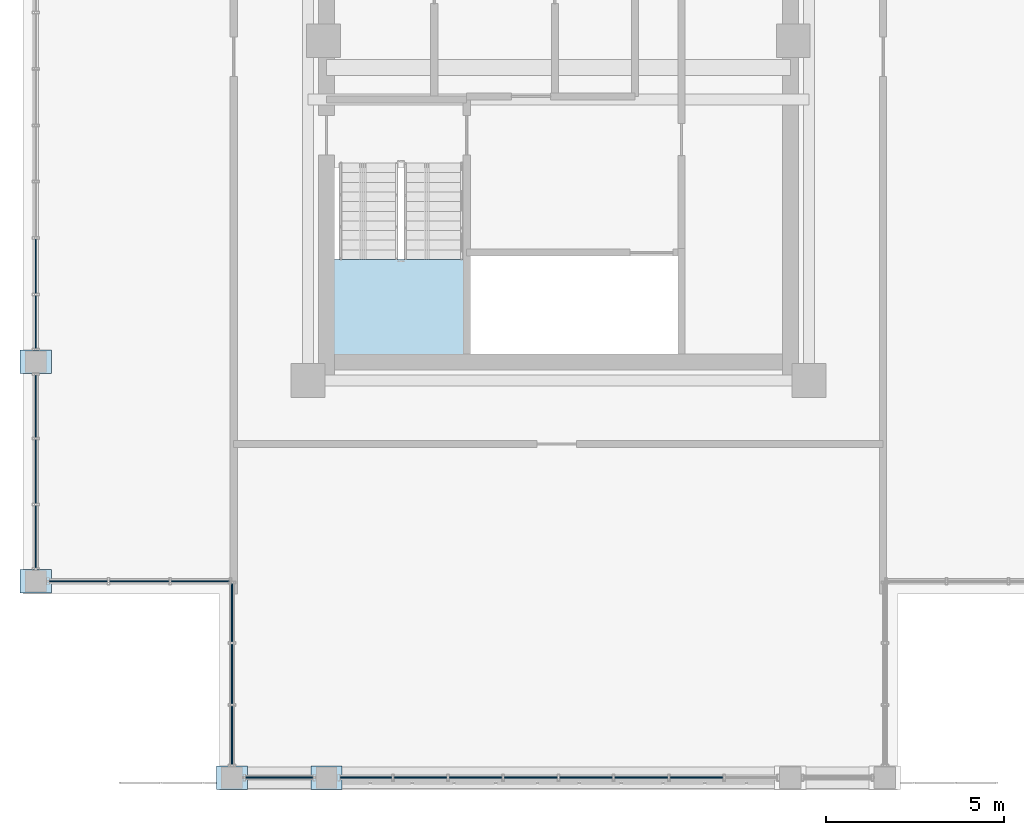
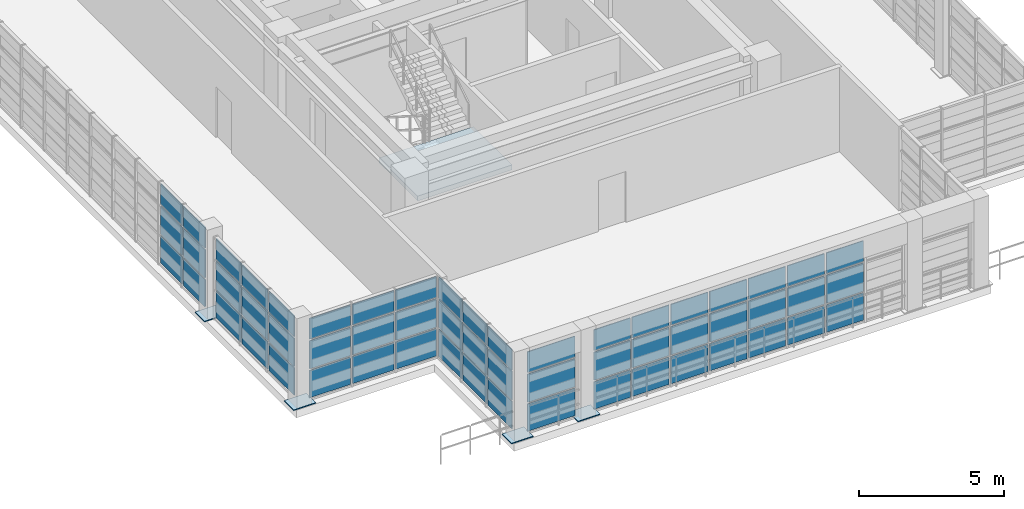
# One storey, part 16 of 24: 61 plates, 1 slab, 7 elements without a shape of their own.
"""IFC4 building model written with IfcOpenShell, lengths in metres."""

import ifcopenshell
import ifcopenshell.guid

model = None  # the IFC model being written
_history = None  # IfcOwnerHistory: only IFC2X3 demands one
_inside = {}  # id of a spatial element -> (the spatial element, [elements in it])
_under = {}  # id of a project, library or spatial element -> (it, [spatial elements below it])
_declared = {}  # id of a project -> (the project, [libraries it declares])
_typed = {}  # id of a type object -> (the type object, [elements of that type])
_made_of = {}  # id of a material, layer set ... -> (it, [elements and type objects made of it])


def new_model(schema):
    """Start an empty IFC model of exactly this schema.

    Asked for "IFC4X3", IfcOpenShell would pick the latest addendum, in which some entities
    have other attributes; the version numbers below select the first issue.
    IFC2X3 requires an IfcOwnerHistory on every rooted entity: one is made here for all.
    """
    global model, _history
    if schema == "IFC4X3":
        model = ifcopenshell.file(schema_version=(4, 3, 0, 0))
    else:
        model = ifcopenshell.file(schema=schema)
    _inside.clear()
    _under.clear()
    _declared.clear()
    _typed.clear()
    _made_of.clear()
    _history = None
    if model.schema == "IFC2X3":
        org = make("IfcOrganization", Name="unknown")
        user = make(
            "IfcPersonAndOrganization",
            ThePerson=make("IfcPerson", FamilyName="unknown"),
            TheOrganization=org,
        )
        app = make(
            "IfcApplication",
            ApplicationDeveloper=org,
            Version="unknown",
            ApplicationFullName="unknown",
            ApplicationIdentifier="unknown",
        )
        _history = make(
            "IfcOwnerHistory",
            OwningUser=user,
            OwningApplication=app,
            ChangeAction="ADDED",
            CreationDate=0,
        )
    return model


def make(cls, **values):
    """One entity of the class cls with the attributes given. An attribute that is None is left unset."""
    return model.create_entity(
        cls, **{name: value for name, value in values.items() if value is not None}
    )


def rooted(cls, **values):
    """An entity with a GlobalId (a new one), such as an element, a storey or a relation."""
    return make(cls, GlobalId=ifcopenshell.guid.new(), OwnerHistory=_history, **values)


def si_unit(unit_type, name, prefix=None):
    """IfcSIUnit, for example si_unit("LENGTHUNIT", "METRE", prefix="MILLI")."""
    return make("IfcSIUnit", UnitType=unit_type, Prefix=prefix, Name=name)


def assignment(units):
    """IfcUnitAssignment: the units of a project."""
    return None if units is None else make("IfcUnitAssignment", Units=units)


def point(xyz):
    """IfcCartesianPoint."""
    return None if xyz is None else make("IfcCartesianPoint", Coordinates=xyz)


def direction(xyz):
    """IfcDirection."""
    return None if xyz is None else make("IfcDirection", DirectionRatios=xyz)


def frame(location, z_axis=None, x_axis=None):
    """IfcAxis2Placement3D, a coordinate frame: its origin and axes. An axis left out is left unset."""
    return make(
        "IfcAxis2Placement3D",
        Location=point(location),
        Axis=direction(z_axis),
        RefDirection=direction(x_axis),
    )


def frame_2d(location, x_axis=None):
    """IfcAxis2Placement2D, a coordinate frame in the plane: its origin and x axis."""
    return make(
        "IfcAxis2Placement2D", Location=point(location), RefDirection=direction(x_axis)
    )


def origin():
    """The frame at (0, 0, 0) with its axes left unset."""
    return frame((0.0, 0.0, 0.0))


def origin_2d():
    """The frame at (0, 0) in the plane with its x axis left unset."""
    return frame_2d((0.0, 0.0))


def place(relative_to, where):
    """IfcLocalPlacement: puts the frame where relative to a parent placement (None: the world)."""
    return make(
        "IfcLocalPlacement", PlacementRelTo=relative_to, RelativePlacement=where
    )


def context(
    kind, dimensions, precision=None, world=None, true_north=None, identifier=None
):
    """IfcGeometricRepresentationContext, for example the 3D "Model" context."""
    return make(
        "IfcGeometricRepresentationContext",
        ContextIdentifier=identifier,
        ContextType=kind,
        CoordinateSpaceDimension=dimensions,
        Precision=precision,
        WorldCoordinateSystem=world,
        TrueNorth=true_north,
    )


def subcontext(parent, identifier, kind, view, scale=None):
    """IfcGeometricRepresentationSubContext, for example "Body" below "Model"."""
    return make(
        "IfcGeometricRepresentationSubContext",
        ContextIdentifier=identifier,
        ContextType=kind,
        ParentContext=parent,
        TargetScale=scale,
        TargetView=view,
    )


def project(units=None, contexts=None):
    """IfcProject with its units and contexts."""
    return rooted(
        "IfcProject",
        Name="project",
        RepresentationContexts=contexts,
        UnitsInContext=assignment(units),
    )


def spatial(cls, under=None, at=None, **own):
    """A site, building, storey or space (cls), placed at a placement, below another one or the project."""
    s = rooted(cls, ObjectPlacement=at, **own)
    if under is not None:
        _under.setdefault(under.id(), (under, []))[1].append(s)
    return s


def polyline(points):
    """IfcPolyline through the points."""
    return make("IfcPolyline", Points=[point(p) for p in points])


def profile(cls, at=None, kind="AREA", **sizes):
    """A parametric profile (cls). Its sizes go by their IFC names, for example OverallWidth=200.0."""
    return make(cls, ProfileType=kind, Position=at, **sizes)


def rectangle(**sizes):
    """IfcRectangleProfileDef."""
    return profile("IfcRectangleProfileDef", **sizes)


def outline(outer, holes=None, kind="AREA"):
    """IfcArbitraryClosedProfileDef: a profile drawn as a closed curve; with holes, ...WithVoids."""
    if holes is None:
        return make("IfcArbitraryClosedProfileDef", ProfileType=kind, OuterCurve=outer)
    return make(
        "IfcArbitraryProfileDefWithVoids",
        ProfileType=kind,
        OuterCurve=outer,
        InnerCurves=holes,
    )


def extrude(swept, where, along, depth):
    """IfcExtrudedAreaSolid: the profile swept, set in the frame where, extruded along a direction by depth."""
    return make(
        "IfcExtrudedAreaSolid",
        SweptArea=swept,
        Position=where,
        ExtrudedDirection=direction(along),
        Depth=depth,
    )


def shape(context_of_items, identifier, shape_type, items):
    """IfcShapeRepresentation: the items that make up one representation, for example the "Body"."""
    return make(
        "IfcShapeRepresentation",
        ContextOfItems=context_of_items,
        RepresentationIdentifier=identifier,
        RepresentationType=shape_type,
        Items=items,
    )


def source(mapping_origin, context_of_items, identifier, shape_type, items):
    """IfcRepresentationMap: a shape defined once, which mapped items show again and again."""
    return make(
        "IfcRepresentationMap",
        MappingOrigin=mapping_origin,
        MappedRepresentation=shape(context_of_items, identifier, shape_type, items),
    )


def transform(
    local_origin,
    x_axis=None,
    y_axis=None,
    z_axis=None,
    scale=None,
    scale2=None,
    scale3=None,
    uniform=True,
):
    """IfcCartesianTransformationOperator3D, or its non-uniform kind. x_axis, y_axis, z_axis: its Axis1, 2, 3."""
    if uniform:
        return make(
            "IfcCartesianTransformationOperator3D",
            Axis1=direction(x_axis),
            Axis2=direction(y_axis),
            LocalOrigin=point(local_origin),
            Scale=scale,
            Axis3=direction(z_axis),
        )
    return make(
        "IfcCartesianTransformationOperator3DnonUniform",
        Axis1=direction(x_axis),
        Axis2=direction(y_axis),
        LocalOrigin=point(local_origin),
        Scale=scale,
        Axis3=direction(z_axis),
        Scale2=scale2,
        Scale3=scale3,
    )


def mapped(mapping_source, mapping_target):
    """IfcMappedItem: shows the shape of a source again, moved by a transform."""
    return make(
        "IfcMappedItem", MappingSource=mapping_source, MappingTarget=mapping_target
    )


def material(Name=None, Category=None):
    """IfcMaterial."""
    return make("IfcMaterial", Name=Name, Category=Category)


def layer(
    of_material, thickness, ventilated=None, Name=None, Category=None, Priority=None
):
    """IfcMaterialLayer: one layer of a wall or slab, of a material (None: an air gap)."""
    return make(
        "IfcMaterialLayer",
        Material=of_material,
        LayerThickness=thickness,
        IsVentilated=ventilated,
        Name=Name,
        Category=Category,
        Priority=Priority,
    )


def layer_set(layers, Name=None):
    """IfcMaterialLayerSet."""
    return make("IfcMaterialLayerSet", MaterialLayers=layers, LayerSetName=Name)


def made_of(thing, what):
    """Note that an element or type object is made of a material, layer set ...; save() writes the relation."""
    if what is not None:
        _made_of.setdefault(what.id(), (what, []))[1].append(thing)
    return thing


def type_object(cls, material=None, **own):
    """A type object (cls), such as IfcWallType, which elements share."""
    return made_of(rooted(cls, **own), material)


def element(
    cls,
    number,
    at=None,
    inside=None,
    cuts=None,
    type_object=None,
    material=None,
    context=None,
    identifier="Body",
    shape_type=None,
    held_by="IfcProductDefinitionShape",
    body=None,
    shapes=None,
    **own,
):
    """One element of the class cls, such as IfcWall. Its Tag is "e" and its number.

    at: its placement. inside: the storey or other place that contains it. cuts: it is an
    opening in that element (IfcRelVoidsElement). A single representation is given by context,
    identifier, shape_type and body (its items); several are given by shapes. held_by: the class
    of the entity that holds the representations. save() writes the other relations.
    """
    e = rooted(cls, Tag="e%d" % number, ObjectPlacement=at, **own)
    if body is not None:
        shapes = [shape(context, identifier, shape_type, body)]
    if shapes is not None:
        e.Representation = make(held_by, Representations=shapes)
    if inside is not None:
        _inside.setdefault(inside.id(), (inside, []))[1].append(e)
    if cuts is not None:
        rooted(
            "IfcRelVoidsElement", RelatingBuildingElement=cuts, RelatedOpeningElement=e
        )
    if type_object is not None:
        _typed.setdefault(type_object.id(), (type_object, []))[1].append(e)
    return made_of(e, material)


def aggregate(whole, parts):
    """IfcRelAggregates: a whole, such as a stair, and the parts it consists of."""
    return rooted("IfcRelAggregates", RelatingObject=whole, RelatedObjects=parts)


def save(model, path):
    """Write the relations noted so far, then the file.

    IfcRelAggregates (storeys below a building ...), IfcRelContainedInSpatialStructure (elements
    in a storey), IfcRelDefinesByType, IfcRelAssociatesMaterial and IfcRelDeclares: one each for
    every whole, place, type object, material and project.
    """
    for whole, parts in _under.values():
        aggregate(whole, parts)
    for where, things in _inside.values():
        rooted(
            "IfcRelContainedInSpatialStructure",
            RelatedElements=things,
            RelatingStructure=where,
        )
    for kind, things in _typed.values():
        rooted("IfcRelDefinesByType", RelatedObjects=things, RelatingType=kind)
    for what, things in _made_of.values():
        rooted("IfcRelAssociatesMaterial", RelatedObjects=things, RelatingMaterial=what)
    for by, libraries in _declared.values():
        rooted("IfcRelDeclares", RelatingContext=by, RelatedDefinitions=libraries)
    model.write(path)


model = new_model("IFC4")

# Units and contexts
model_context = context("Model", 3, precision=1e-05, world=origin(), true_north=direction((0.0, 1.0)))
body_context = subcontext(model_context, "Body", "Model", "MODEL_VIEW")
ifc_project = project(units=[si_unit("LENGTHUNIT", "METRE"), si_unit("AREAUNIT", "SQUARE_METRE"), si_unit("VOLUMEUNIT", "CUBIC_METRE"), si_unit("PLANEANGLEUNIT", "RADIAN"), si_unit("MASSUNIT", "GRAM", prefix="KILO")], contexts=[model_context])

# Site, building, storey
site_placement = place(None, origin())
site = spatial("IfcSite", under=ifc_project, at=site_placement, CompositionType="ELEMENT")
building_placement = place(site_placement, origin())
building = spatial("IfcBuilding", under=site, at=building_placement, Name="Saelheon Loggia Tower", CompositionType="ELEMENT")
storey_placement = place(building_placement, frame((0.0, 0.0, 252.199951171875)))
storey = spatial("IfcBuildingStorey", under=building, at=storey_placement, Name="CR1", CompositionType="ELEMENT", Elevation=252.199951171875)

# Stair, slab
ifc_material_1 = material(Name="Concrete C40/50", Category="concrete")
stair_type = type_object("IfcStairType", Name="Stair_Plant_Crown", PredefinedType="HALF_TURN_STAIR", material=ifc_material_1)
stair_placement = place(storey_placement, origin())
stair = element("IfcStair", 1, at=stair_placement, inside=storey, type_object=stair_type, Name="CR1 Crown Plant Stair ST5", PredefinedType="HALF_TURN_STAIR")
ifc_layer_1 = layer(ifc_material_1, 0.199951171875)
ifc_layer_set_1 = layer_set([ifc_layer_1], Name="Concrete C40/50")
slab_type = type_object("IfcSlabType", Name="Slab_StairLanding_ST5", PredefinedType="LANDING", material=ifc_layer_set_1)
slab_placement = place(storey_placement, frame((0.0, 0.0, 1.699951171875)))
slab = element("IfcSlab", 2, at=slab_placement, type_object=slab_type, Name="ST5 landing 1", PredefinedType="LANDING", context=body_context, shape_type="SweptSolid", body=[
    extrude(outline(polyline([(31.7099609375, 20.8701171875), (31.7099609375, 18.2099609375), (35.469970703125, 18.2099609375), (35.469970703125, 20.8701171875), (31.7099609375, 20.8701171875)])), origin(), (0.0, 0.0, 1.0), 0.2001953125),
])
aggregate(stair, [slab])

# Plates
ifc_material_2 = material(Name="Steel SM355", Category="steel")
ifc_layer_2 = layer(ifc_material_2, 0.035888671875)
ifc_layer_set_2 = layer_set([ifc_layer_2], Name="Steel SM355")
plate_type_1 = type_object("IfcPlateType", Name="CrownFrame_BasePlate_BP1", PredefinedType="USERDEFINED", material=ifc_layer_set_2)
shared_shape_1 = source(origin(), body_context, "Body", "SweptSolid", [
    extrude(rectangle(XDim=0.8798828125, YDim=0.659912109375, at=origin_2d()), origin(), (0.0, 0.0, 1.0), 0.035888671875),
])
for number, where, z_axis, x_axis, name in (
    (3, (28.85009765625, 6.35009765625, 0.0), (0.0, 0.0, 1.0), (1.0, 0.0, 0.0), "CROWN FRAME Column Base Plate TP-S1"),
    (4, (31.5, 6.35009765625, 0.0), (0.0, 0.0, 1.0), (1.0, 0.0, 0.0), "CROWN FRAME Column Base Plate TP-SA"),
    (5, (23.35009765625, 18.0, 0.0), (0.0, 0.0, 1.0), (1.0, 0.0, 0.0), "CROWN FRAME Column Base Plate TP-WA"),
    (6, (23.35009765625, 11.85009765625, 0.0), (0.0, 0.0, 1.0), (1.0, 0.0, 0.0), "CROWN FRAME Column Base Plate TP-W1"),
):
    element("IfcPlate", number, at=place(storey_placement, frame(where, z_axis=z_axis, x_axis=x_axis)), inside=storey, type_object=plate_type_1, Name=name, ObjectType="BASE_PLATE", PredefinedType="USERDEFINED", context=body_context, shape_type="MappedRepresentation", body=[
        mapped(shared_shape_1, transform((0.0, 0.0, 0.0), scale=1.0)),
    ])

# Curtain wall, plates
ifc_material_3 = material(Name="Bronze-Anodised Aluminium and Fritted Ceramic Screen", Category="aluminium")
ifc_layer_3 = layer(ifc_material_3, 0.219970703125)
ifc_layer_set_3 = layer_set([ifc_layer_3], Name="Bronze-Anodised Aluminium and Fritted Ceramic Screen")
curtain_wall_type = type_object("IfcCurtainWallType", Name="CW_CrownScreen", PredefinedType="NOTDEFINED", material=ifc_layer_set_3)
curtain_wall_1_placement = place(storey_placement, origin())
curtain_wall_1 = element("IfcCurtainWall", 7, at=curtain_wall_1_placement, inside=storey, type_object=curtain_wall_type, Name="CR1 Crown Screen Curtain Wall 0-1", PredefinedType="NOTDEFINED")
ifc_material_4 = material(Name="Bronze Ceramic Fritted Spandrel Panel", Category="aluminium")
ifc_layer_4 = layer(ifc_material_4, 0.0380859375)
ifc_layer_set_4 = layer_set([ifc_layer_4], Name="Bronze Ceramic Fritted Spandrel Panel")
plate_type_2 = type_object("IfcPlateType", Name="CW_CrownScreen_Panel", PredefinedType="CURTAIN_PANEL", material=ifc_layer_set_4)
shared_shape_2 = source(origin(), body_context, "Body", "SweptSolid", [
    extrude(rectangle(XDim=1.889892578125, YDim=0.0380859375, at=origin_2d()), origin(), (0.0, 0.0, 1.0), 1.14501953125),
])
plate_1_placement = place(storey_placement, frame((30.175048828125, 6.35009765625, 0.070068359375), z_axis=(0.0, 0.0, 1.0), x_axis=(1.0, 0.0, 0.0)))
plate_1 = element("IfcPlate", 8, at=plate_1_placement, type_object=plate_type_2, Name="CW6 panel 1.1", PredefinedType="CURTAIN_PANEL", context=body_context, shape_type="MappedRepresentation", body=[
    mapped(shared_shape_2, transform((0.0, 0.0, 0.0), scale=1.0)),
])
shared_shape_3 = source(origin(), body_context, "Body", "SweptSolid", [
    extrude(rectangle(XDim=1.889892578125, YDim=0.0380859375, at=origin_2d()), origin(), (0.0, 0.0, 1.0), 1.179931640625),
])
plate_2_placement = place(storey_placement, frame((30.175048828125, 6.35009765625, 1.28515625), z_axis=(0.0, 0.0, 1.0), x_axis=(1.0, 0.0, 0.0)))
plate_2 = element("IfcPlate", 9, at=plate_2_placement, type_object=plate_type_2, Name="CW6 panel 1.2", PredefinedType="CURTAIN_PANEL", context=body_context, shape_type="MappedRepresentation", body=[
    mapped(shared_shape_3, transform((0.0, 0.0, 0.0), scale=1.0)),
])
shared_shape_4 = source(origin(), body_context, "Body", "SweptSolid", [
    extrude(rectangle(XDim=1.889892578125, YDim=0.0380859375, at=origin_2d()), origin(), (0.0, 0.0, 1.0), 0.875),
])
plate_3_placement = place(storey_placement, frame((30.175048828125, 6.35009765625, 2.53515625), z_axis=(0.0, 0.0, 1.0), x_axis=(1.0, 0.0, 0.0)))
plate_3 = element("IfcPlate", 10, at=plate_3_placement, type_object=plate_type_2, Name="CW6 panel 1.3", PredefinedType="CURTAIN_PANEL", context=body_context, shape_type="MappedRepresentation", body=[
    mapped(shared_shape_4, transform((0.0, 0.0, 0.0), scale=1.0)),
])
aggregate(curtain_wall_1, [plate_1, plate_2, plate_3])

curtain_wall_2_placement = place(storey_placement, origin())
curtain_wall_2 = element("IfcCurtainWall", 11, at=curtain_wall_2_placement, inside=storey, type_object=curtain_wall_type, Name="CR1 Crown Screen Curtain Wall 0-2", PredefinedType="NOTDEFINED")
shared_shape_5 = source(origin(), body_context, "Body", "SweptSolid", [
    extrude(rectangle(XDim=1.4423828125, YDim=0.0380859375, at=origin_2d()), origin(), (0.0, 0.0, 1.0), 1.14501953125),
])
plate_4_placement = place(storey_placement, frame((32.601318359375, 6.35009765625, 0.070068359375), z_axis=(0.0, 0.0, 1.0), x_axis=(1.0, 0.0, 0.0)))
plate_4 = element("IfcPlate", 12, at=plate_4_placement, type_object=plate_type_2, Name="CW6 panel 1.1", PredefinedType="CURTAIN_PANEL", context=body_context, shape_type="MappedRepresentation", body=[
    mapped(shared_shape_5, transform((0.0, 0.0, 0.0), scale=1.0)),
])
shared_shape_6 = source(origin(), body_context, "Body", "SweptSolid", [
    extrude(rectangle(XDim=1.4423828125, YDim=0.0380859375, at=origin_2d()), origin(), (0.0, 0.0, 1.0), 1.179931640625),
])
plate_5_placement = place(storey_placement, frame((32.601318359375, 6.35009765625, 1.28515625), z_axis=(0.0, 0.0, 1.0), x_axis=(1.0, 0.0, 0.0)))
plate_5 = element("IfcPlate", 13, at=plate_5_placement, type_object=plate_type_2, Name="CW6 panel 1.2", PredefinedType="CURTAIN_PANEL", context=body_context, shape_type="MappedRepresentation", body=[
    mapped(shared_shape_6, transform((0.0, 0.0, 0.0), scale=1.0)),
])
shared_shape_7 = source(origin(), body_context, "Body", "SweptSolid", [
    extrude(rectangle(XDim=1.4423828125, YDim=0.0380859375, at=origin_2d()), origin(), (0.0, 0.0, 1.0), 0.875),
])
plate_6_placement = place(storey_placement, frame((32.601318359375, 6.35009765625, 2.53515625), z_axis=(0.0, 0.0, 1.0), x_axis=(1.0, 0.0, 0.0)))
plate_6 = element("IfcPlate", 14, at=plate_6_placement, type_object=plate_type_2, Name="CW6 panel 1.3", PredefinedType="CURTAIN_PANEL", context=body_context, shape_type="MappedRepresentation", body=[
    mapped(shared_shape_7, transform((0.0, 0.0, 0.0), scale=1.0)),
])
shared_shape_8 = source(origin(), body_context, "Body", "SweptSolid", [
    extrude(rectangle(XDim=1.4775390625, YDim=0.0380859375, at=origin_2d()), origin(), (0.0, 0.0, 1.0), 1.14501953125),
])
plate_7_placement = place(storey_placement, frame((34.13134765625, 6.35009765625, 0.070068359375), z_axis=(0.0, 0.0, 1.0), x_axis=(1.0, 0.0, 0.0)))
plate_7 = element("IfcPlate", 15, at=plate_7_placement, type_object=plate_type_2, Name="CW6 panel 2.1", PredefinedType="CURTAIN_PANEL", context=body_context, shape_type="MappedRepresentation", body=[
    mapped(shared_shape_8, transform((0.0, 0.0, 0.0), scale=1.0)),
])
plate_8_placement = place(storey_placement, frame((35.6787109375, 6.35009765625, 0.070068359375), z_axis=(0.0, 0.0, 1.0), x_axis=(1.0, 0.0, 0.0)))
plate_8 = element("IfcPlate", 16, at=plate_8_placement, type_object=plate_type_2, Name="CW6 panel 3.1", PredefinedType="CURTAIN_PANEL", context=body_context, shape_type="MappedRepresentation", body=[
    mapped(shared_shape_8, transform((0.0, 0.0, 0.0), scale=1.0)),
])
plate_9_placement = place(storey_placement, frame((37.226318359375, 6.35009765625, 0.070068359375), z_axis=(0.0, 0.0, 1.0), x_axis=(1.0, 0.0, 0.0)))
plate_9 = element("IfcPlate", 17, at=plate_9_placement, type_object=plate_type_2, Name="CW6 panel 4.1", PredefinedType="CURTAIN_PANEL", context=body_context, shape_type="MappedRepresentation", body=[
    mapped(shared_shape_8, transform((0.0, 0.0, 0.0), scale=1.0)),
])
plate_10_placement = place(storey_placement, frame((38.773681640625, 6.35009765625, 0.070068359375), z_axis=(0.0, 0.0, 1.0), x_axis=(1.0, 0.0, 0.0)))
plate_10 = element("IfcPlate", 18, at=plate_10_placement, type_object=plate_type_2, Name="CW6 panel 5.1", PredefinedType="CURTAIN_PANEL", context=body_context, shape_type="MappedRepresentation", body=[
    mapped(shared_shape_8, transform((0.0, 0.0, 0.0), scale=1.0)),
])
plate_11_placement = place(storey_placement, frame((40.3212890625, 6.35009765625, 0.070068359375), z_axis=(0.0, 0.0, 1.0), x_axis=(1.0, 0.0, 0.0)))
plate_11 = element("IfcPlate", 19, at=plate_11_placement, type_object=plate_type_2, Name="CW6 panel 6.1", PredefinedType="CURTAIN_PANEL", context=body_context, shape_type="MappedRepresentation", body=[
    mapped(shared_shape_8, transform((0.0, 0.0, 0.0), scale=1.0)),
])
plate_12_placement = place(storey_placement, frame((41.86865234375, 6.35009765625, 0.070068359375), z_axis=(0.0, 0.0, 1.0), x_axis=(1.0, 0.0, 0.0)))
plate_12 = element("IfcPlate", 20, at=plate_12_placement, type_object=plate_type_2, Name="CW6 panel 7.1", PredefinedType="CURTAIN_PANEL", context=body_context, shape_type="MappedRepresentation", body=[
    mapped(shared_shape_8, transform((0.0, 0.0, 0.0), scale=1.0)),
])
shared_shape_9 = source(origin(), body_context, "Body", "SweptSolid", [
    extrude(rectangle(XDim=1.4775390625, YDim=0.0380859375, at=origin_2d()), origin(), (0.0, 0.0, 1.0), 1.179931640625),
])
plate_13_placement = place(storey_placement, frame((34.13134765625, 6.35009765625, 1.28515625), z_axis=(0.0, 0.0, 1.0), x_axis=(1.0, 0.0, 0.0)))
plate_13 = element("IfcPlate", 21, at=plate_13_placement, type_object=plate_type_2, Name="CW6 panel 2.2", PredefinedType="CURTAIN_PANEL", context=body_context, shape_type="MappedRepresentation", body=[
    mapped(shared_shape_9, transform((0.0, 0.0, 0.0), scale=1.0)),
])
plate_14_placement = place(storey_placement, frame((35.6787109375, 6.35009765625, 1.28515625), z_axis=(0.0, 0.0, 1.0), x_axis=(1.0, 0.0, 0.0)))
plate_14 = element("IfcPlate", 22, at=plate_14_placement, type_object=plate_type_2, Name="CW6 panel 3.2", PredefinedType="CURTAIN_PANEL", context=body_context, shape_type="MappedRepresentation", body=[
    mapped(shared_shape_9, transform((0.0, 0.0, 0.0), scale=1.0)),
])
plate_15_placement = place(storey_placement, frame((37.226318359375, 6.35009765625, 1.28515625), z_axis=(0.0, 0.0, 1.0), x_axis=(1.0, 0.0, 0.0)))
plate_15 = element("IfcPlate", 23, at=plate_15_placement, type_object=plate_type_2, Name="CW6 panel 4.2", PredefinedType="CURTAIN_PANEL", context=body_context, shape_type="MappedRepresentation", body=[
    mapped(shared_shape_9, transform((0.0, 0.0, 0.0), scale=1.0)),
])
plate_16_placement = place(storey_placement, frame((38.773681640625, 6.35009765625, 1.28515625), z_axis=(0.0, 0.0, 1.0), x_axis=(1.0, 0.0, 0.0)))
plate_16 = element("IfcPlate", 24, at=plate_16_placement, type_object=plate_type_2, Name="CW6 panel 5.2", PredefinedType="CURTAIN_PANEL", context=body_context, shape_type="MappedRepresentation", body=[
    mapped(shared_shape_9, transform((0.0, 0.0, 0.0), scale=1.0)),
])
plate_17_placement = place(storey_placement, frame((40.3212890625, 6.35009765625, 1.28515625), z_axis=(0.0, 0.0, 1.0), x_axis=(1.0, 0.0, 0.0)))
plate_17 = element("IfcPlate", 25, at=plate_17_placement, type_object=plate_type_2, Name="CW6 panel 6.2", PredefinedType="CURTAIN_PANEL", context=body_context, shape_type="MappedRepresentation", body=[
    mapped(shared_shape_9, transform((0.0, 0.0, 0.0), scale=1.0)),
])
plate_18_placement = place(storey_placement, frame((41.86865234375, 6.35009765625, 1.28515625), z_axis=(0.0, 0.0, 1.0), x_axis=(1.0, 0.0, 0.0)))
plate_18 = element("IfcPlate", 26, at=plate_18_placement, type_object=plate_type_2, Name="CW6 panel 7.2", PredefinedType="CURTAIN_PANEL", context=body_context, shape_type="MappedRepresentation", body=[
    mapped(shared_shape_9, transform((0.0, 0.0, 0.0), scale=1.0)),
])
shared_shape_10 = source(origin(), body_context, "Body", "SweptSolid", [
    extrude(rectangle(XDim=1.4775390625, YDim=0.0380859375, at=origin_2d()), origin(), (0.0, 0.0, 1.0), 0.875),
])
plate_19_placement = place(storey_placement, frame((34.13134765625, 6.35009765625, 2.53515625), z_axis=(0.0, 0.0, 1.0), x_axis=(1.0, 0.0, 0.0)))
plate_19 = element("IfcPlate", 27, at=plate_19_placement, type_object=plate_type_2, Name="CW6 panel 2.3", PredefinedType="CURTAIN_PANEL", context=body_context, shape_type="MappedRepresentation", body=[
    mapped(shared_shape_10, transform((0.0, 0.0, 0.0), scale=1.0)),
])
plate_20_placement = place(storey_placement, frame((35.6787109375, 6.35009765625, 2.53515625), z_axis=(0.0, 0.0, 1.0), x_axis=(1.0, 0.0, 0.0)))
plate_20 = element("IfcPlate", 28, at=plate_20_placement, type_object=plate_type_2, Name="CW6 panel 3.3", PredefinedType="CURTAIN_PANEL", context=body_context, shape_type="MappedRepresentation", body=[
    mapped(shared_shape_10, transform((0.0, 0.0, 0.0), scale=1.0)),
])
plate_21_placement = place(storey_placement, frame((37.226318359375, 6.35009765625, 2.53515625), z_axis=(0.0, 0.0, 1.0), x_axis=(1.0, 0.0, 0.0)))
plate_21 = element("IfcPlate", 29, at=plate_21_placement, type_object=plate_type_2, Name="CW6 panel 4.3", PredefinedType="CURTAIN_PANEL", context=body_context, shape_type="MappedRepresentation", body=[
    mapped(shared_shape_10, transform((0.0, 0.0, 0.0), scale=1.0)),
])
plate_22_placement = place(storey_placement, frame((38.773681640625, 6.35009765625, 2.53515625), z_axis=(0.0, 0.0, 1.0), x_axis=(1.0, 0.0, 0.0)))
plate_22 = element("IfcPlate", 30, at=plate_22_placement, type_object=plate_type_2, Name="CW6 panel 5.3", PredefinedType="CURTAIN_PANEL", context=body_context, shape_type="MappedRepresentation", body=[
    mapped(shared_shape_10, transform((0.0, 0.0, 0.0), scale=1.0)),
])
plate_23_placement = place(storey_placement, frame((40.3212890625, 6.35009765625, 2.53515625), z_axis=(0.0, 0.0, 1.0), x_axis=(1.0, 0.0, 0.0)))
plate_23 = element("IfcPlate", 31, at=plate_23_placement, type_object=plate_type_2, Name="CW6 panel 6.3", PredefinedType="CURTAIN_PANEL", context=body_context, shape_type="MappedRepresentation", body=[
    mapped(shared_shape_10, transform((0.0, 0.0, 0.0), scale=1.0)),
])
plate_24_placement = place(storey_placement, frame((41.86865234375, 6.35009765625, 2.53515625), z_axis=(0.0, 0.0, 1.0), x_axis=(1.0, 0.0, 0.0)))
plate_24 = element("IfcPlate", 32, at=plate_24_placement, type_object=plate_type_2, Name="CW6 panel 7.3", PredefinedType="CURTAIN_PANEL", context=body_context, shape_type="MappedRepresentation", body=[
    mapped(shared_shape_10, transform((0.0, 0.0, 0.0), scale=1.0)),
])
aggregate(curtain_wall_2, [plate_4, plate_5, plate_6, plate_7, plate_13, plate_19, plate_8, plate_14, plate_20, plate_9, plate_15, plate_21, plate_10, plate_16, plate_22, plate_11, plate_17, plate_23, plate_12, plate_18, plate_24])

curtain_wall_3_placement = place(storey_placement, origin())
curtain_wall_3 = element("IfcCurtainWall", 33, at=curtain_wall_3_placement, inside=storey, type_object=curtain_wall_type, Name="CR1 Crown Screen Curtain Wall 10-1", PredefinedType="NOTDEFINED")
shared_shape_11 = source(origin(), body_context, "Body", "SweptSolid", [
    extrude(rectangle(XDim=1.625, YDim=0.0380859375, at=origin_2d()), origin(), (0.0, 0.0, 1.0), 1.14501953125),
])
plate_25_placement = place(storey_placement, frame((24.54248046875, 11.85009765625, 0.070068359375), z_axis=(0.0, 0.0, 1.0), x_axis=(1.0, 0.0, 0.0)))
plate_25 = element("IfcPlate", 34, at=plate_25_placement, type_object=plate_type_2, Name="CW6 panel 1.1", PredefinedType="CURTAIN_PANEL", context=body_context, shape_type="MappedRepresentation", body=[
    mapped(shared_shape_11, transform((0.0, 0.0, 0.0), scale=1.0)),
])
plate_26_placement = place(storey_placement, frame((27.967529296875, 11.85009765625, 0.070068359375), z_axis=(0.0, 0.0, 1.0), x_axis=(1.0, 0.0, 0.0)))
plate_26 = element("IfcPlate", 35, at=plate_26_placement, type_object=plate_type_2, Name="CW6 panel 3.1", PredefinedType="CURTAIN_PANEL", context=body_context, shape_type="MappedRepresentation", body=[
    mapped(shared_shape_11, transform((0.0, 0.0, 0.0), scale=1.0)),
])

curtain_wall_4_placement = place(storey_placement, origin())
curtain_wall_4 = element("IfcCurtainWall", 36, at=curtain_wall_4_placement, inside=storey, type_object=curtain_wall_type, Name="CR1 Crown Screen Curtain Wall 11-1", PredefinedType="NOTDEFINED")
plate_27_placement = place(storey_placement, frame((28.85009765625, 10.967529296875, 0.070068359375), z_axis=(0.0, 0.0, 1.0), x_axis=(0.0, -1.0, 0.0)))
plate_27 = element("IfcPlate", 37, at=plate_27_placement, type_object=plate_type_2, Name="CW6 panel 1.1", PredefinedType="CURTAIN_PANEL", context=body_context, shape_type="MappedRepresentation", body=[
    mapped(shared_shape_11, transform((0.0, 0.0, 0.0), scale=1.0)),
])
plate_28_placement = place(storey_placement, frame((28.85009765625, 7.54248046875, 0.070068359375), z_axis=(0.0, 0.0, 1.0), x_axis=(0.0, -1.0, 0.0)))
plate_28 = element("IfcPlate", 38, at=plate_28_placement, type_object=plate_type_2, Name="CW6 panel 3.1", PredefinedType="CURTAIN_PANEL", context=body_context, shape_type="MappedRepresentation", body=[
    mapped(shared_shape_11, transform((0.0, 0.0, 0.0), scale=1.0)),
])

# Plate
shared_shape_12 = source(origin(), body_context, "Body", "SweptSolid", [
    extrude(rectangle(XDim=1.625, YDim=0.0380859375, at=origin_2d()), origin(), (0.0, 0.0, 1.0), 1.179931640625),
])
plate_29_placement = place(storey_placement, frame((24.54248046875, 11.85009765625, 1.28515625), z_axis=(0.0, 0.0, 1.0), x_axis=(1.0, 0.0, 0.0)))
plate_29 = element("IfcPlate", 39, at=plate_29_placement, type_object=plate_type_2, Name="CW6 panel 1.2", PredefinedType="CURTAIN_PANEL", context=body_context, shape_type="MappedRepresentation", body=[
    mapped(shared_shape_12, transform((0.0, 0.0, 0.0), scale=1.0)),
])

plate_30_placement = place(storey_placement, frame((27.967529296875, 11.85009765625, 1.28515625), z_axis=(0.0, 0.0, 1.0), x_axis=(1.0, 0.0, 0.0)))
plate_30 = element("IfcPlate", 40, at=plate_30_placement, type_object=plate_type_2, Name="CW6 panel 3.2", PredefinedType="CURTAIN_PANEL", context=body_context, shape_type="MappedRepresentation", body=[
    mapped(shared_shape_12, transform((0.0, 0.0, 0.0), scale=1.0)),
])

plate_31_placement = place(storey_placement, frame((28.85009765625, 10.967529296875, 1.28515625), z_axis=(0.0, 0.0, 1.0), x_axis=(0.0, -1.0, 0.0)))
plate_31 = element("IfcPlate", 41, at=plate_31_placement, type_object=plate_type_2, Name="CW6 panel 1.2", PredefinedType="CURTAIN_PANEL", context=body_context, shape_type="MappedRepresentation", body=[
    mapped(shared_shape_12, transform((0.0, 0.0, 0.0), scale=1.0)),
])

plate_32_placement = place(storey_placement, frame((28.85009765625, 7.54248046875, 1.28515625), z_axis=(0.0, 0.0, 1.0), x_axis=(0.0, -1.0, 0.0)))
plate_32 = element("IfcPlate", 42, at=plate_32_placement, type_object=plate_type_2, Name="CW6 panel 3.2", PredefinedType="CURTAIN_PANEL", context=body_context, shape_type="MappedRepresentation", body=[
    mapped(shared_shape_12, transform((0.0, 0.0, 0.0), scale=1.0)),
])

shared_shape_13 = source(origin(), body_context, "Body", "SweptSolid", [
    extrude(rectangle(XDim=1.625, YDim=0.0380859375, at=origin_2d()), origin(), (0.0, 0.0, 1.0), 0.875),
])
plate_33_placement = place(storey_placement, frame((24.54248046875, 11.85009765625, 2.53515625), z_axis=(0.0, 0.0, 1.0), x_axis=(1.0, 0.0, 0.0)))
plate_33 = element("IfcPlate", 43, at=plate_33_placement, type_object=plate_type_2, Name="CW6 panel 1.3", PredefinedType="CURTAIN_PANEL", context=body_context, shape_type="MappedRepresentation", body=[
    mapped(shared_shape_13, transform((0.0, 0.0, 0.0), scale=1.0)),
])

plate_34_placement = place(storey_placement, frame((27.967529296875, 11.85009765625, 2.53515625), z_axis=(0.0, 0.0, 1.0), x_axis=(1.0, 0.0, 0.0)))
plate_34 = element("IfcPlate", 44, at=plate_34_placement, type_object=plate_type_2, Name="CW6 panel 3.3", PredefinedType="CURTAIN_PANEL", context=body_context, shape_type="MappedRepresentation", body=[
    mapped(shared_shape_13, transform((0.0, 0.0, 0.0), scale=1.0)),
])

plate_35_placement = place(storey_placement, frame((28.85009765625, 10.967529296875, 2.53515625), z_axis=(0.0, 0.0, 1.0), x_axis=(0.0, -1.0, 0.0)))
plate_35 = element("IfcPlate", 45, at=plate_35_placement, type_object=plate_type_2, Name="CW6 panel 1.3", PredefinedType="CURTAIN_PANEL", context=body_context, shape_type="MappedRepresentation", body=[
    mapped(shared_shape_13, transform((0.0, 0.0, 0.0), scale=1.0)),
])

plate_36_placement = place(storey_placement, frame((28.85009765625, 7.54248046875, 2.53515625), z_axis=(0.0, 0.0, 1.0), x_axis=(0.0, -1.0, 0.0)))
plate_36 = element("IfcPlate", 46, at=plate_36_placement, type_object=plate_type_2, Name="CW6 panel 3.3", PredefinedType="CURTAIN_PANEL", context=body_context, shape_type="MappedRepresentation", body=[
    mapped(shared_shape_13, transform((0.0, 0.0, 0.0), scale=1.0)),
])

shared_shape_14 = source(origin(), body_context, "Body", "SweptSolid", [
    extrude(rectangle(XDim=1.659912109375, YDim=0.0380859375, at=origin_2d()), origin(), (0.0, 0.0, 1.0), 1.14501953125),
])
plate_37_placement = place(storey_placement, frame((26.2548828125, 11.85009765625, 0.070068359375), z_axis=(0.0, 0.0, 1.0), x_axis=(1.0, 0.0, 0.0)))
plate_37 = element("IfcPlate", 47, at=plate_37_placement, type_object=plate_type_2, Name="CW6 panel 2.1", PredefinedType="CURTAIN_PANEL", context=body_context, shape_type="MappedRepresentation", body=[
    mapped(shared_shape_14, transform((0.0, 0.0, 0.0), scale=1.0)),
])

plate_38_placement = place(storey_placement, frame((28.85009765625, 9.2548828125, 0.070068359375), z_axis=(0.0, 0.0, 1.0), x_axis=(0.0, -1.0, 0.0)))
plate_38 = element("IfcPlate", 48, at=plate_38_placement, type_object=plate_type_2, Name="CW6 panel 2.1", PredefinedType="CURTAIN_PANEL", context=body_context, shape_type="MappedRepresentation", body=[
    mapped(shared_shape_14, transform((0.0, 0.0, 0.0), scale=1.0)),
])

shared_shape_15 = source(origin(), body_context, "Body", "SweptSolid", [
    extrude(rectangle(XDim=1.659912109375, YDim=0.0380859375, at=origin_2d()), origin(), (0.0, 0.0, 1.0), 1.179931640625),
])
plate_39_placement = place(storey_placement, frame((26.2548828125, 11.85009765625, 1.28515625), z_axis=(0.0, 0.0, 1.0), x_axis=(1.0, 0.0, 0.0)))
plate_39 = element("IfcPlate", 49, at=plate_39_placement, type_object=plate_type_2, Name="CW6 panel 2.2", PredefinedType="CURTAIN_PANEL", context=body_context, shape_type="MappedRepresentation", body=[
    mapped(shared_shape_15, transform((0.0, 0.0, 0.0), scale=1.0)),
])

plate_40_placement = place(storey_placement, frame((28.85009765625, 9.2548828125, 1.28515625), z_axis=(0.0, 0.0, 1.0), x_axis=(0.0, -1.0, 0.0)))
plate_40 = element("IfcPlate", 50, at=plate_40_placement, type_object=plate_type_2, Name="CW6 panel 2.2", PredefinedType="CURTAIN_PANEL", context=body_context, shape_type="MappedRepresentation", body=[
    mapped(shared_shape_15, transform((0.0, 0.0, 0.0), scale=1.0)),
])

shared_shape_16 = source(origin(), body_context, "Body", "SweptSolid", [
    extrude(rectangle(XDim=1.659912109375, YDim=0.0380859375, at=origin_2d()), origin(), (0.0, 0.0, 1.0), 0.875),
])
plate_41_placement = place(storey_placement, frame((26.2548828125, 11.85009765625, 2.53515625), z_axis=(0.0, 0.0, 1.0), x_axis=(1.0, 0.0, 0.0)))
plate_41 = element("IfcPlate", 51, at=plate_41_placement, type_object=plate_type_2, Name="CW6 panel 2.3", PredefinedType="CURTAIN_PANEL", context=body_context, shape_type="MappedRepresentation", body=[
    mapped(shared_shape_16, transform((0.0, 0.0, 0.0), scale=1.0)),
])

aggregate(curtain_wall_3, [plate_25, plate_29, plate_33, plate_37, plate_39, plate_41, plate_26, plate_30, plate_34])

plate_42_placement = place(storey_placement, frame((28.85009765625, 9.2548828125, 2.53515625), z_axis=(0.0, 0.0, 1.0), x_axis=(0.0, -1.0, 0.0)))
plate_42 = element("IfcPlate", 52, at=plate_42_placement, type_object=plate_type_2, Name="CW6 panel 2.3", PredefinedType="CURTAIN_PANEL", context=body_context, shape_type="MappedRepresentation", body=[
    mapped(shared_shape_16, transform((0.0, 0.0, 0.0), scale=1.0)),
])

aggregate(curtain_wall_4, [plate_27, plate_31, plate_35, plate_38, plate_40, plate_42, plate_28, plate_32, plate_36])

# Curtain wall, plates
curtain_wall_5_placement = place(storey_placement, origin())
curtain_wall_5 = element("IfcCurtainWall", 53, at=curtain_wall_5_placement, inside=storey, type_object=curtain_wall_type, Name="CR1 Crown Screen Curtain Wall 9-3", PredefinedType="NOTDEFINED")
shared_shape_17 = source(origin(), body_context, "Body", "SweptSolid", [
    extrude(rectangle(XDim=1.73828125, YDim=0.0380859375, at=origin_2d()), origin(), (0.0, 0.0, 1.0), 1.14501953125),
])
plate_43_placement = place(storey_placement, frame((23.35009765625, 16.750732421875, 0.070068359375), z_axis=(0.0, 0.0, 1.0), x_axis=(0.0, -1.0, 0.0)))
plate_43 = element("IfcPlate", 54, at=plate_43_placement, type_object=plate_type_2, Name="CW6 panel 1.1", PredefinedType="CURTAIN_PANEL", context=body_context, shape_type="MappedRepresentation", body=[
    mapped(shared_shape_17, transform((0.0, 0.0, 0.0), scale=1.0)),
])
plate_44_placement = place(storey_placement, frame((23.35009765625, 13.09912109375, 0.070068359375), z_axis=(0.0, 0.0, 1.0), x_axis=(0.0, -1.0, 0.0)))
plate_44 = element("IfcPlate", 55, at=plate_44_placement, type_object=plate_type_2, Name="CW6 panel 3.1", PredefinedType="CURTAIN_PANEL", context=body_context, shape_type="MappedRepresentation", body=[
    mapped(shared_shape_17, transform((0.0, 0.0, 0.0), scale=1.0)),
])
shared_shape_18 = source(origin(), body_context, "Body", "SweptSolid", [
    extrude(rectangle(XDim=1.73828125, YDim=0.0380859375, at=origin_2d()), origin(), (0.0, 0.0, 1.0), 1.179931640625),
])
plate_45_placement = place(storey_placement, frame((23.35009765625, 16.750732421875, 1.28515625), z_axis=(0.0, 0.0, 1.0), x_axis=(0.0, -1.0, 0.0)))
plate_45 = element("IfcPlate", 56, at=plate_45_placement, type_object=plate_type_2, Name="CW6 panel 1.2", PredefinedType="CURTAIN_PANEL", context=body_context, shape_type="MappedRepresentation", body=[
    mapped(shared_shape_18, transform((0.0, 0.0, 0.0), scale=1.0)),
])
plate_46_placement = place(storey_placement, frame((23.35009765625, 13.09912109375, 1.28515625), z_axis=(0.0, 0.0, 1.0), x_axis=(0.0, -1.0, 0.0)))
plate_46 = element("IfcPlate", 57, at=plate_46_placement, type_object=plate_type_2, Name="CW6 panel 3.2", PredefinedType="CURTAIN_PANEL", context=body_context, shape_type="MappedRepresentation", body=[
    mapped(shared_shape_18, transform((0.0, 0.0, 0.0), scale=1.0)),
])
shared_shape_19 = source(origin(), body_context, "Body", "SweptSolid", [
    extrude(rectangle(XDim=1.73828125, YDim=0.0380859375, at=origin_2d()), origin(), (0.0, 0.0, 1.0), 0.875),
])
plate_47_placement = place(storey_placement, frame((23.35009765625, 16.750732421875, 2.53515625), z_axis=(0.0, 0.0, 1.0), x_axis=(0.0, -1.0, 0.0)))
plate_47 = element("IfcPlate", 58, at=plate_47_placement, type_object=plate_type_2, Name="CW6 panel 1.3", PredefinedType="CURTAIN_PANEL", context=body_context, shape_type="MappedRepresentation", body=[
    mapped(shared_shape_19, transform((0.0, 0.0, 0.0), scale=1.0)),
])
plate_48_placement = place(storey_placement, frame((23.35009765625, 13.09912109375, 2.53515625), z_axis=(0.0, 0.0, 1.0), x_axis=(0.0, -1.0, 0.0)))
plate_48 = element("IfcPlate", 59, at=plate_48_placement, type_object=plate_type_2, Name="CW6 panel 3.3", PredefinedType="CURTAIN_PANEL", context=body_context, shape_type="MappedRepresentation", body=[
    mapped(shared_shape_19, transform((0.0, 0.0, 0.0), scale=1.0)),
])
shared_shape_20 = source(origin(), body_context, "Body", "SweptSolid", [
    extrude(rectangle(XDim=1.7734375, YDim=0.0380859375, at=origin_2d()), origin(), (0.0, 0.0, 1.0), 1.14501953125),
])
plate_49_placement = place(storey_placement, frame((23.35009765625, 14.925048828125, 0.070068359375), z_axis=(0.0, 0.0, 1.0), x_axis=(0.0, -1.0, 0.0)))
plate_49 = element("IfcPlate", 60, at=plate_49_placement, type_object=plate_type_2, Name="CW6 panel 2.1", PredefinedType="CURTAIN_PANEL", context=body_context, shape_type="MappedRepresentation", body=[
    mapped(shared_shape_20, transform((0.0, 0.0, 0.0), scale=1.0)),
])
shared_shape_21 = source(origin(), body_context, "Body", "SweptSolid", [
    extrude(rectangle(XDim=1.7734375, YDim=0.0380859375, at=origin_2d()), origin(), (0.0, 0.0, 1.0), 1.179931640625),
])
plate_50_placement = place(storey_placement, frame((23.35009765625, 14.925048828125, 1.28515625), z_axis=(0.0, 0.0, 1.0), x_axis=(0.0, -1.0, 0.0)))
plate_50 = element("IfcPlate", 61, at=plate_50_placement, type_object=plate_type_2, Name="CW6 panel 2.2", PredefinedType="CURTAIN_PANEL", context=body_context, shape_type="MappedRepresentation", body=[
    mapped(shared_shape_21, transform((0.0, 0.0, 0.0), scale=1.0)),
])
shared_shape_22 = source(origin(), body_context, "Body", "SweptSolid", [
    extrude(rectangle(XDim=1.7734375, YDim=0.0380859375, at=origin_2d()), origin(), (0.0, 0.0, 1.0), 0.875),
])
plate_51_placement = place(storey_placement, frame((23.35009765625, 14.925048828125, 2.53515625), z_axis=(0.0, 0.0, 1.0), x_axis=(0.0, -1.0, 0.0)))
plate_51 = element("IfcPlate", 62, at=plate_51_placement, type_object=plate_type_2, Name="CW6 panel 2.3", PredefinedType="CURTAIN_PANEL", context=body_context, shape_type="MappedRepresentation", body=[
    mapped(shared_shape_22, transform((0.0, 0.0, 0.0), scale=1.0)),
])
aggregate(curtain_wall_5, [plate_43, plate_45, plate_47, plate_49, plate_50, plate_51, plate_44, plate_46, plate_48])

curtain_wall_6_placement = place(storey_placement, origin())
curtain_wall_6 = element("IfcCurtainWall", 63, at=curtain_wall_6_placement, inside=storey, type_object=curtain_wall_type, Name="CR1 Crown Screen Curtain Wall 9-2", PredefinedType="NOTDEFINED")
shared_shape_23 = source(origin(), body_context, "Body", "SweptSolid", [
    extrude(rectangle(XDim=1.47509765625, YDim=0.0380859375, at=origin_2d()), origin(), (0.0, 0.0, 1.0), 1.14501953125),
])
plate_52_placement = place(storey_placement, frame((23.35009765625, 19.117431640625, 0.070068359375), z_axis=(0.0, 0.0, 1.0), x_axis=(0.0, -1.0, 0.0)))
plate_52 = element("IfcPlate", 64, at=plate_52_placement, type_object=plate_type_2, Name="CW6 panel 11.1", PredefinedType="CURTAIN_PANEL", context=body_context, shape_type="MappedRepresentation", body=[
    mapped(shared_shape_23, transform((0.0, 0.0, 0.0), scale=1.0)),
])
shared_shape_24 = source(origin(), body_context, "Body", "SweptSolid", [
    extrude(rectangle(XDim=1.47509765625, YDim=0.0380859375, at=origin_2d()), origin(), (0.0, 0.0, 1.0), 1.179931640625),
])
plate_53_placement = place(storey_placement, frame((23.35009765625, 19.117431640625, 1.28515625), z_axis=(0.0, 0.0, 1.0), x_axis=(0.0, -1.0, 0.0)))
plate_53 = element("IfcPlate", 65, at=plate_53_placement, type_object=plate_type_2, Name="CW6 panel 11.2", PredefinedType="CURTAIN_PANEL", context=body_context, shape_type="MappedRepresentation", body=[
    mapped(shared_shape_24, transform((0.0, 0.0, 0.0), scale=1.0)),
])
shared_shape_25 = source(origin(), body_context, "Body", "SweptSolid", [
    extrude(rectangle(XDim=1.47509765625, YDim=0.0380859375, at=origin_2d()), origin(), (0.0, 0.0, 1.0), 0.875),
])
plate_54_placement = place(storey_placement, frame((23.35009765625, 19.117431640625, 2.53515625), z_axis=(0.0, 0.0, 1.0), x_axis=(0.0, -1.0, 0.0)))
plate_54 = element("IfcPlate", 66, at=plate_54_placement, type_object=plate_type_2, Name="CW6 panel 11.3", PredefinedType="CURTAIN_PANEL", context=body_context, shape_type="MappedRepresentation", body=[
    mapped(shared_shape_25, transform((0.0, 0.0, 0.0), scale=1.0)),
])
shared_shape_26 = source(origin(), body_context, "Body", "SweptSolid", [
    extrude(rectangle(XDim=1.510009765625, YDim=0.0380859375, at=origin_2d()), origin(), (0.0, 0.0, 1.0), 1.14501953125),
])
plate_55_placement = place(storey_placement, frame((23.35009765625, 20.679931640625, 0.070068359375), z_axis=(0.0, 0.0, 1.0), x_axis=(0.0, -1.0, 0.0)))
plate_55 = element("IfcPlate", 67, at=plate_55_placement, type_object=plate_type_2, Name="CW6 panel 10.1", PredefinedType="CURTAIN_PANEL", context=body_context, shape_type="MappedRepresentation", body=[
    mapped(shared_shape_26, transform((0.0, 0.0, 0.0), scale=1.0)),
])
shared_shape_27 = source(origin(), body_context, "Body", "SweptSolid", [
    extrude(rectangle(XDim=1.510009765625, YDim=0.0380859375, at=origin_2d()), origin(), (0.0, 0.0, 1.0), 1.179931640625),
])
plate_56_placement = place(storey_placement, frame((23.35009765625, 20.679931640625, 1.28515625), z_axis=(0.0, 0.0, 1.0), x_axis=(0.0, -1.0, 0.0)))
plate_56 = element("IfcPlate", 68, at=plate_56_placement, type_object=plate_type_2, Name="CW6 panel 10.2", PredefinedType="CURTAIN_PANEL", context=body_context, shape_type="MappedRepresentation", body=[
    mapped(shared_shape_27, transform((0.0, 0.0, 0.0), scale=1.0)),
])
shared_shape_28 = source(origin(), body_context, "Body", "SweptSolid", [
    extrude(rectangle(XDim=1.510009765625, YDim=0.0380859375, at=origin_2d()), origin(), (0.0, 0.0, 1.0), 0.875),
])
plate_57_placement = place(storey_placement, frame((23.35009765625, 20.679931640625, 2.53515625), z_axis=(0.0, 0.0, 1.0), x_axis=(0.0, -1.0, 0.0)))
plate_57 = element("IfcPlate", 69, at=plate_57_placement, type_object=plate_type_2, Name="CW6 panel 10.3", PredefinedType="CURTAIN_PANEL", context=body_context, shape_type="MappedRepresentation", body=[
    mapped(shared_shape_28, transform((0.0, 0.0, 0.0), scale=1.0)),
])
aggregate(curtain_wall_6, [plate_55, plate_56, plate_57, plate_52, plate_53, plate_54])

save(model, "model.ifc")
